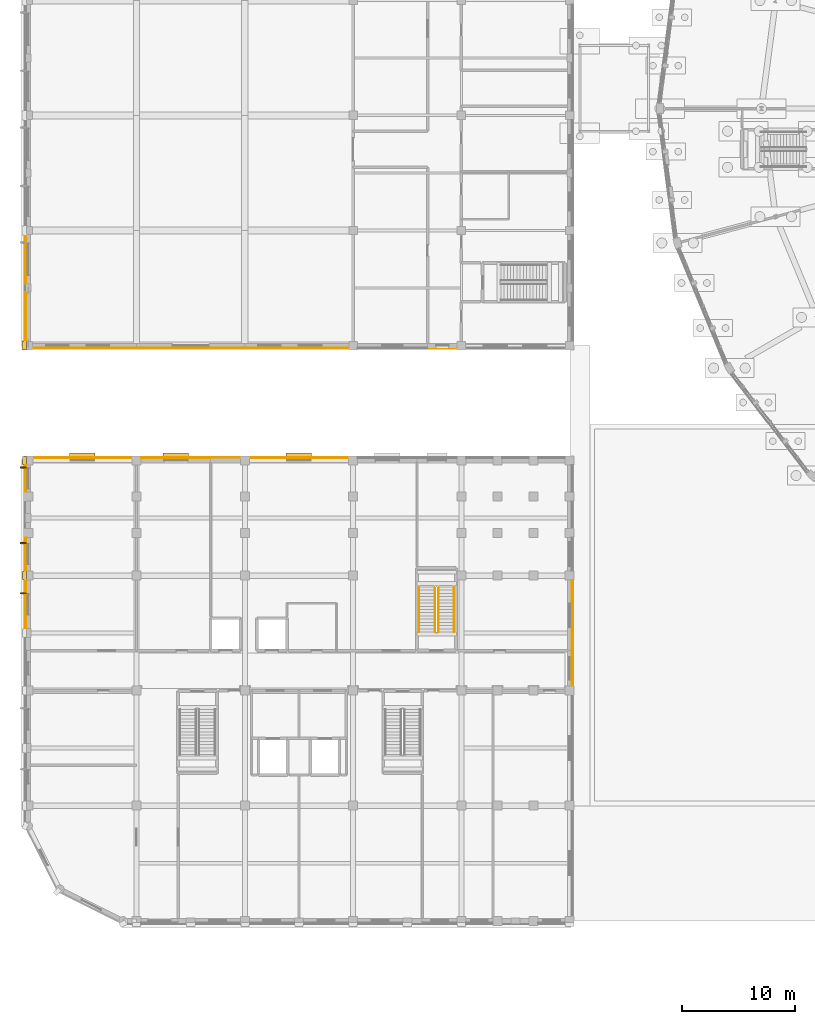
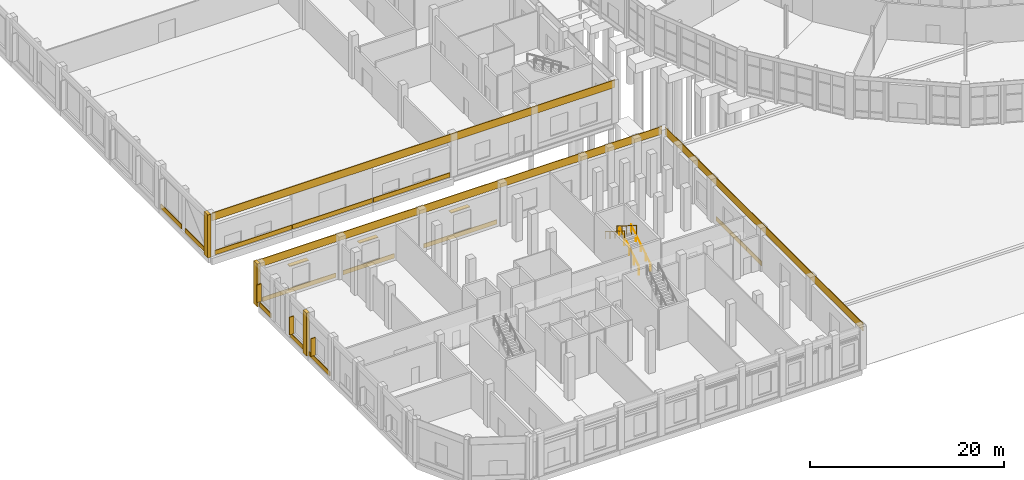
# One storey, part 120 of 137: 19 coverings, 6 shading devices, 4 railings.
"""IFC4 building model written with IfcOpenShell, lengths in metres."""

from ifc_helpers import new_model, si_unit, direction, frame, origin, origin_2d, place, context, subcontext, project, spatial, rectangle, circle, extrude, material, layer, layer_set, type_object, element, save


model = new_model("IFC4")

# Units and contexts
model_context = context("Model", 3, precision=1e-05, world=origin(), true_north=direction((0.0, 1.0)))
body_context = subcontext(model_context, "Body", "Model", "MODEL_VIEW")
ifc_project = project(units=[si_unit("LENGTHUNIT", "METRE"), si_unit("AREAUNIT", "SQUARE_METRE"), si_unit("VOLUMEUNIT", "CUBIC_METRE"), si_unit("PLANEANGLEUNIT", "RADIAN"), si_unit("MASSUNIT", "GRAM", prefix="KILO")], contexts=[model_context])

# Site, building, storey
site_placement = place(None, origin())
site = spatial("IfcSite", under=ifc_project, at=site_placement, CompositionType="ELEMENT")
building_placement = place(site_placement, origin())
building = spatial("IfcBuilding", under=site, at=building_placement, Name="Vondelvale Polytechnic", CompositionType="ELEMENT")
storey_placement = place(building_placement, origin())
storey = spatial("IfcBuildingStorey", under=building, at=storey_placement, Name="L00", CompositionType="ELEMENT", Elevation=0.0)

# Coverings
ifc_material_1 = material(Name="Malmsbury bluestone ashlar stone masonry", Category="masonry")
ifc_layer_1 = layer(ifc_material_1, 0.080078125)
ifc_layer_set_1 = layer_set([ifc_layer_1], Name="COV-BLUESTONE-PLINTH")
covering_type = type_object("IfcCoveringType", Name="COV-BLUESTONE-PLINTH", PredefinedType="CLADDING", material=ifc_layer_set_1)
covering_1_placement = place(storey_placement, frame((24.0, 50.739990234375, 4.43994140625), z_axis=(0.0, 0.0, 1.0), x_axis=(1.0, 0.0, 0.0)))
element("IfcCovering", 1, at=covering_1_placement, inside=storey, type_object=covering_type, Name="L00 exterior masonry spandrel band", PredefinedType="CLADDING", context=body_context, shape_type="SweptSolid", body=[
    extrude(rectangle(XDim=48.0, YDim=0.080078125, at=origin_2d()), origin(), (0.0, 0.0, 1.0), 0.9599609375),
])
for number, where, z_axis, x_axis, name in (
    (2, (-0.236083984375, 53.5625, 0.0), (0.0, 0.0, 1.0), (0.0, 1.0, 0.0), "L00 exterior corbelled masonry relief band"),
    (3, (-0.236083984375, 58.637451171875, 0.0), (0.0, 0.0, 1.0), (0.0, 1.0, 0.0), "L00 exterior corbelled masonry relief band"),
):
    element("IfcCovering", number, at=place(storey_placement, frame(where, z_axis=z_axis, x_axis=x_axis)), inside=storey, type_object=covering_type, Name=name, PredefinedType="CLADDING", context=body_context, shape_type="SweptSolid", body=[
        extrude(rectangle(XDim=4.31298828125, YDim=0.080078125, at=origin_2d()), origin(), (0.0, 0.0, 1.0), 0.550048828125),
    ])
covering_2_placement = place(storey_placement, frame((4.988037109375, 50.763916015625, 0.0), z_axis=(0.0, 0.0, 1.0), x_axis=(-1.0, 0.0, 0.0)))
element("IfcCovering", 4, at=covering_2_placement, inside=storey, type_object=covering_type, Name="L00 exterior corbelled masonry relief band", PredefinedType="CLADDING", context=body_context, shape_type="SweptSolid", body=[
    extrude(rectangle(XDim=9.1640625, YDim=0.080078125, at=origin_2d()), origin(), (0.0, 0.0, 1.0), 0.550048828125),
])
covering_3_placement = place(storey_placement, frame((14.39990234375, 50.763916015625, 0.0), z_axis=(0.0, 0.0, 1.0), x_axis=(-1.0, 0.0, 0.0)))
element("IfcCovering", 5, at=covering_3_placement, inside=storey, type_object=covering_type, Name="L00 exterior corbelled masonry relief band", PredefinedType="CLADDING", context=body_context, shape_type="SweptSolid", body=[
    extrude(rectangle(XDim=9.5400390625, YDim=0.080078125, at=origin_2d()), origin(), (0.0, 0.0, 1.0), 0.550048828125),
])
covering_4_placement = place(storey_placement, frame((23.81201171875, 50.763916015625, 0.0), z_axis=(0.0, 0.0, 1.0), x_axis=(-1.0, 0.0, 0.0)))
element("IfcCovering", 6, at=covering_4_placement, inside=storey, type_object=covering_type, Name="L00 exterior corbelled masonry relief band", PredefinedType="CLADDING", context=body_context, shape_type="SweptSolid", body=[
    extrude(rectangle(XDim=9.1640625, YDim=0.080078125, at=origin_2d()), origin(), (0.0, 0.0, 1.0), 0.550048828125),
])
covering_5_placement = place(storey_placement, frame((48.260009765625, 20.39990234375, 4.43994140625), z_axis=(0.0, 0.0, 1.0), x_axis=(0.0, 1.0, 0.0)))
element("IfcCovering", 7, at=covering_5_placement, inside=storey, type_object=covering_type, Name="L00 exterior masonry spandrel band", PredefinedType="CLADDING", context=body_context, shape_type="SweptSolid", body=[
    extrude(rectangle(XDim=40.800048828125, YDim=0.080078125, at=origin_2d()), origin(), (0.0, 0.0, 1.0), 0.9599609375),
])
covering_6_placement = place(storey_placement, frame((24.0, 41.06005859375, 4.43994140625), z_axis=(0.0, 0.0, 1.0), x_axis=(1.0, 0.0, 0.0)))
element("IfcCovering", 8, at=covering_6_placement, inside=storey, type_object=covering_type, Name="L00 exterior masonry spandrel band", PredefinedType="CLADDING", context=body_context, shape_type="SweptSolid", body=[
    extrude(rectangle(XDim=48.0, YDim=0.080078125, at=origin_2d()), origin(), (0.0, 0.0, 1.0), 0.9599609375),
])
covering_7_placement = place(storey_placement, frame((-0.236083984375, 28.050048828125, 0.0), z_axis=(0.0, 0.0, 1.0), x_axis=(0.0, 1.0, 0.0)))
element("IfcCovering", 9, at=covering_7_placement, inside=storey, type_object=covering_type, Name="L00 exterior corbelled masonry relief band", PredefinedType="CLADDING", context=body_context, shape_type="SweptSolid", body=[
    extrude(rectangle(XDim=4.238037109375, YDim=0.080078125, at=origin_2d()), origin(), (0.0, 0.0, 1.0), 0.550048828125),
])
covering_8_placement = place(storey_placement, frame((-0.236083984375, 32.5, 0.0), z_axis=(0.0, 0.0, 1.0), x_axis=(0.0, 1.0, 0.0)))
element("IfcCovering", 10, at=covering_8_placement, inside=storey, type_object=covering_type, Name="L00 exterior corbelled masonry relief band", PredefinedType="CLADDING", context=body_context, shape_type="SweptSolid", body=[
    extrude(rectangle(XDim=2.93798828125, YDim=0.080078125, at=origin_2d()), origin(), (0.0, 0.0, 1.0), 0.550048828125),
])
covering_9_placement = place(storey_placement, frame((-0.236083984375, 39.199951171875, 0.0), z_axis=(0.0, 0.0, 1.0), x_axis=(0.0, 1.0, 0.0)))
element("IfcCovering", 11, at=covering_9_placement, inside=storey, type_object=covering_type, Name="L00 exterior corbelled masonry relief band", PredefinedType="CLADDING", context=body_context, shape_type="SweptSolid", body=[
    extrude(rectangle(XDim=2.337890625, YDim=0.080078125, at=origin_2d()), origin(), (0.0, 0.0, 1.0), 0.550048828125),
])
covering_10_placement = place(storey_placement, frame((48.236083984375, 22.37548828125, 0.0), z_axis=(0.0, 0.0, 1.0), x_axis=(0.0, -1.0, 0.0)))
element("IfcCovering", 12, at=covering_10_placement, inside=storey, type_object=covering_type, Name="L00 exterior corbelled masonry relief band", PredefinedType="CLADDING", context=body_context, shape_type="SweptSolid", body=[
    extrude(rectangle(XDim=3.089111328125, YDim=0.080078125, at=origin_2d()), origin(), (0.0, 0.0, 1.0), 0.550048828125),
])
covering_11_placement = place(storey_placement, frame((48.236083984375, 27.074462890625, 0.0), z_axis=(0.0, 0.0, 1.0), x_axis=(0.0, -1.0, 0.0)))
element("IfcCovering", 13, at=covering_11_placement, inside=storey, type_object=covering_type, Name="L00 exterior corbelled masonry relief band", PredefinedType="CLADDING", context=body_context, shape_type="SweptSolid", body=[
    extrude(rectangle(XDim=6.18896484375, YDim=0.080078125, at=origin_2d()), origin(), (0.0, 0.0, 1.0), 0.550048828125),
])
covering_12_placement = place(storey_placement, frame((4.800048828125, 41.035888671875, 0.0), z_axis=(0.0, 0.0, 1.0), x_axis=(1.0, 0.0, 0.0)))
element("IfcCovering", 14, at=covering_12_placement, inside=storey, type_object=covering_type, Name="L00 exterior corbelled masonry relief band", PredefinedType="CLADDING", context=body_context, shape_type="SweptSolid", body=[
    extrude(rectangle(XDim=8.738037109375, YDim=0.080078125, at=origin_2d()), origin(), (0.0, 0.0, 1.0), 0.550048828125),
])
covering_13_placement = place(storey_placement, frame((13.087890625, 41.035888671875, 0.0), z_axis=(0.0, 0.0, 1.0), x_axis=(1.0, 0.0, 0.0)))
element("IfcCovering", 15, at=covering_13_placement, inside=storey, type_object=covering_type, Name="L00 exterior corbelled masonry relief band", PredefinedType="CLADDING", context=body_context, shape_type="SweptSolid", body=[
    extrude(rectangle(XDim=6.114013671875, YDim=0.080078125, at=origin_2d()), origin(), (0.0, 0.0, 1.0), 0.550048828125),
])
covering_14_placement = place(storey_placement, frame((24.0, 41.035888671875, 0.0), z_axis=(0.0, 0.0, 1.0), x_axis=(1.0, 0.0, 0.0)))
element("IfcCovering", 16, at=covering_14_placement, inside=storey, type_object=covering_type, Name="L00 exterior corbelled masonry relief band", PredefinedType="CLADDING", context=body_context, shape_type="SweptSolid", body=[
    extrude(rectangle(XDim=8.738037109375, YDim=0.080078125, at=origin_2d()), origin(), (0.0, 0.0, 1.0), 0.550048828125),
])
for number, where, z_axis, x_axis, name in (
    (17, (-0.340087890625, 30.60009765625, 0.0), (0.0, 0.0, 1.0), (1.0, 0.0, 0.0), "L00 Classical street pilaster"),
    (18, (-0.340087890625, 40.800048828125, 0.0), (0.0, 0.0, 1.0), (1.0, 0.0, 0.0), "L00 Classical street pilaster"),
):
    element("IfcCovering", number, at=place(storey_placement, frame(where, z_axis=z_axis, x_axis=x_axis)), inside=storey, type_object=covering_type, Name=name, PredefinedType="CLADDING", context=body_context, shape_type="SweptSolid", body=[
        extrude(rectangle(XDim=0.360107421875, YDim=0.719970703125, at=origin_2d()), origin(), (0.0, 0.0, 1.0), 5.39990234375),
    ])
covering_15_placement = place(storey_placement, frame((-0.340087890625, 51.0, 0.0), z_axis=(0.0, 0.0, 1.0), x_axis=(1.0, 0.0, 0.0)))
element("IfcCovering", 19, at=covering_15_placement, inside=storey, type_object=covering_type, Name="L00 Workshop giant-order brick buttress pier", PredefinedType="CLADDING", context=body_context, shape_type="SweptSolid", body=[
    extrude(rectangle(XDim=0.39990234375, YDim=0.780029296875, at=origin_2d()), origin(), (0.0, 0.0, 1.0), 5.39990234375),
])

# Railings
ifc_material_2 = material(Name="Brushed architectural stainless and zinc-coated metal")
ifc_layer_2 = layer(ifc_material_2, 0.050048828125)
ifc_layer_set_2 = layer_set([ifc_layer_2], Name="RL-STAIR-GUARD")
railing_type_1 = type_object("IfcRailingType", Name="RL-STAIR-GUARD", PredefinedType="GUARDRAIL", material=ifc_layer_set_2)
railing_1_placement = place(storey_placement, frame((36.35009765625, 25.60009765625, 0.179931640625)))
element("IfcRailing", 20, at=railing_1_placement, inside=storey, type_object=railing_type_1, Name="L00 ST-05 stair guard 1", PredefinedType="GUARDRAIL", context=body_context, shape_type="SweptSolid", body=[
    extrude(circle(Radius=0.02392578125, at=origin_2d()), frame((0.0, 0.0, 1.076171875), z_axis=(0.0, 0.845486444383, 0.533996884227), x_axis=(-1.0, 0.0, 0.0)), (0.0, 0.0, 1.0), 4.71923828125),
    extrude(circle(Radius=0.02099609375, at=origin_2d()), origin(), (0.0, 0.0, 1.0), 1.052001953125),
    extrude(circle(Radius=0.02099609375, at=origin_2d()), frame((0.0, 0.99755859375, 0.6298828125)), (0.0, 0.0, 1.0), 1.052001953125),
    extrude(circle(Radius=0.02099609375, at=origin_2d()), frame((0.0, 1.9951171875, 1.260009765625)), (0.0, 0.0, 1.0), 1.052001953125),
    extrude(circle(Radius=0.02099609375, at=origin_2d()), frame((0.0, 2.992431640625, 1.89013671875)), (0.0, 0.0, 1.0), 1.052001953125),
    extrude(circle(Radius=0.02099609375, at=origin_2d()), frame((0.0, 3.989990234375, 2.52001953125)), (0.0, 0.0, 1.0), 1.052001953125),
])
railing_2_placement = place(storey_placement, frame((36.050048828125, 29.590087890625, 2.8798828125)))
element("IfcRailing", 21, at=railing_2_placement, inside=storey, type_object=railing_type_1, Name="L00 ST-05 stair guard 3", PredefinedType="GUARDRAIL", context=body_context, shape_type="SweptSolid", body=[
    extrude(circle(Radius=0.02392578125, at=origin_2d()), frame((0.0, 0.0, 1.076171875), z_axis=(0.0, -0.845486444383, 0.533996884227), x_axis=(1.0, 0.0, 0.0)), (0.0, 0.0, 1.0), 4.71923828125),
    extrude(circle(Radius=0.02099609375, at=origin_2d()), origin(), (0.0, 0.0, 1.0), 1.052001953125),
    extrude(circle(Radius=0.02099609375, at=origin_2d()), frame((0.0, -0.99755859375, 0.6298828125)), (0.0, 0.0, 1.0), 1.052001953125),
    extrude(circle(Radius=0.02099609375, at=origin_2d()), frame((0.0, -1.9951171875, 1.260009765625)), (0.0, 0.0, 1.0), 1.052001953125),
    extrude(circle(Radius=0.02099609375, at=origin_2d()), frame((0.0, -2.992431640625, 1.89013671875)), (0.0, 0.0, 1.0), 1.052001953125),
    extrude(circle(Radius=0.02099609375, at=origin_2d()), frame((0.0, -3.989990234375, 2.52001953125)), (0.0, 0.0, 1.0), 1.052001953125),
])
ifc_layer_3 = layer(ifc_material_2, 0.048095703125)
ifc_layer_set_3 = layer_set([ifc_layer_3], Name="RL-STAIR-HANDRAIL")
railing_type_2 = type_object("IfcRailingType", Name="RL-STAIR-HANDRAIL", PredefinedType="HANDRAIL", material=ifc_layer_set_3)
railing_3_placement = place(storey_placement, frame((37.75, 25.60009765625, 0.179931640625)))
element("IfcRailing", 22, at=railing_3_placement, inside=storey, type_object=railing_type_2, Name="L00 ST-05 stair handrail 1", PredefinedType="HANDRAIL", context=body_context, shape_type="SweptSolid", body=[
    extrude(circle(Radius=0.02392578125, at=origin_2d()), frame((0.0, 0.0, 0.8759765625), z_axis=(0.0, 0.845486444383, 0.533996884227), x_axis=(-1.0, 0.0, 0.0)), (0.0, 0.0, 1.0), 4.71923828125),
    extrude(circle(Radius=0.02099609375, at=origin_2d()), origin(), (0.0, 0.0, 1.0), 0.851806640625),
    extrude(circle(Radius=0.02099609375, at=origin_2d()), frame((0.0, 0.99755859375, 0.6298828125)), (0.0, 0.0, 1.0), 0.851806640625),
    extrude(circle(Radius=0.02099609375, at=origin_2d()), frame((0.0, 1.9951171875, 1.260009765625)), (0.0, 0.0, 1.0), 0.851806640625),
    extrude(circle(Radius=0.02099609375, at=origin_2d()), frame((0.0, 2.992431640625, 1.89013671875)), (0.0, 0.0, 1.0), 0.851806640625),
    extrude(circle(Radius=0.02099609375, at=origin_2d()), frame((0.0, 3.989990234375, 2.52001953125)), (0.0, 0.0, 1.0), 0.851806640625),
])
railing_4_placement = place(storey_placement, frame((34.64990234375, 29.590087890625, 2.8798828125)))
element("IfcRailing", 23, at=railing_4_placement, inside=storey, type_object=railing_type_2, Name="L00 ST-05 stair handrail 2", PredefinedType="HANDRAIL", context=body_context, shape_type="SweptSolid", body=[
    extrude(circle(Radius=0.02392578125, at=origin_2d()), frame((0.0, 0.0, 0.8759765625), z_axis=(0.0, -0.845486444383, 0.533996884227), x_axis=(1.0, 0.0, 0.0)), (0.0, 0.0, 1.0), 4.71923828125),
    extrude(circle(Radius=0.02099609375, at=origin_2d()), origin(), (0.0, 0.0, 1.0), 0.851806640625),
    extrude(circle(Radius=0.02099609375, at=origin_2d()), frame((0.0, -0.99755859375, 0.6298828125)), (0.0, 0.0, 1.0), 0.851806640625),
    extrude(circle(Radius=0.02099609375, at=origin_2d()), frame((0.0, -1.9951171875, 1.260009765625)), (0.0, 0.0, 1.0), 0.851806640625),
    extrude(circle(Radius=0.02099609375, at=origin_2d()), frame((0.0, -2.992431640625, 1.89013671875)), (0.0, 0.0, 1.0), 0.851806640625),
    extrude(circle(Radius=0.02099609375, at=origin_2d()), frame((0.0, -3.989990234375, 2.52001953125)), (0.0, 0.0, 1.0), 0.851806640625),
])

# Shading devices
ifc_material_3 = material(Name="Anodised extruded aluminium 6063-T6", Category="aluminium")
shading_device_type_1 = type_object("IfcShadingDeviceType", Name="SHD-BRONZE-LOUVRE", PredefinedType="SHUTTER", material=ifc_material_3)
for number, where, z_axis, x_axis, name in (
    (24, (4.800048828125, 41.22509765625, 3.257568359375), (0.0, 0.0, 1.0), (1.0, 0.0, 0.0), "L00 horizontal bronze sun-louvre overhang"),
    (25, (13.087890625, 41.22509765625, 3.257568359375), (0.0, 0.0, 1.0), (1.0, 0.0, 0.0), "L00 horizontal bronze sun-louvre overhang"),
    (26, (24.0, 41.22509765625, 3.257568359375), (0.0, 0.0, 1.0), (1.0, 0.0, 0.0), "L00 horizontal bronze sun-louvre overhang"),
):
    element("IfcShadingDevice", number, at=place(storey_placement, frame(where, z_axis=z_axis, x_axis=x_axis)), inside=storey, type_object=shading_device_type_1, Name=name, PredefinedType="SHUTTER", context=body_context, shape_type="SweptSolid", body=[
        extrude(rectangle(XDim=2.260009765625, YDim=0.47998046875, at=origin_2d()), origin(), (0.0, 0.0, 1.0), 0.0849609375),
    ])
ifc_material_4 = material(Name="Kiln-fired architectural terracotta", Category="masonry")
shading_device_type_2 = type_object("IfcShadingDeviceType", Name="SHD-TERRA-FIN-550", PredefinedType="JALOUSIE", material=ifc_material_4)
for number, where, z_axis, x_axis, name in (
    (27, (-0.4599609375, 29.0400390625, 0.7900390625), (0.0, 0.0, 1.0), (0.0, 1.0, 0.0), "L00 vertical terracotta solar fin"),
    (28, (-0.4599609375, 33.489990234375, 0.7900390625), (0.0, 0.0, 1.0), (0.0, 1.0, 0.0), "L00 vertical terracotta solar fin"),
    (29, (-0.4599609375, 40.18994140625, 0.7900390625), (0.0, 0.0, 1.0), (0.0, 1.0, 0.0), "L00 vertical terracotta solar fin"),
):
    element("IfcShadingDevice", number, at=place(storey_placement, frame(where, z_axis=z_axis, x_axis=x_axis)), inside=storey, type_object=shading_device_type_2, Name=name, PredefinedType="JALOUSIE", context=body_context, shape_type="SweptSolid", body=[
        extrude(rectangle(XDim=0.110107421875, YDim=0.550048828125, at=origin_2d()), origin(), (0.0, 0.0, 1.0), 2.219970703125),
    ])

save(model, "model.ifc")
